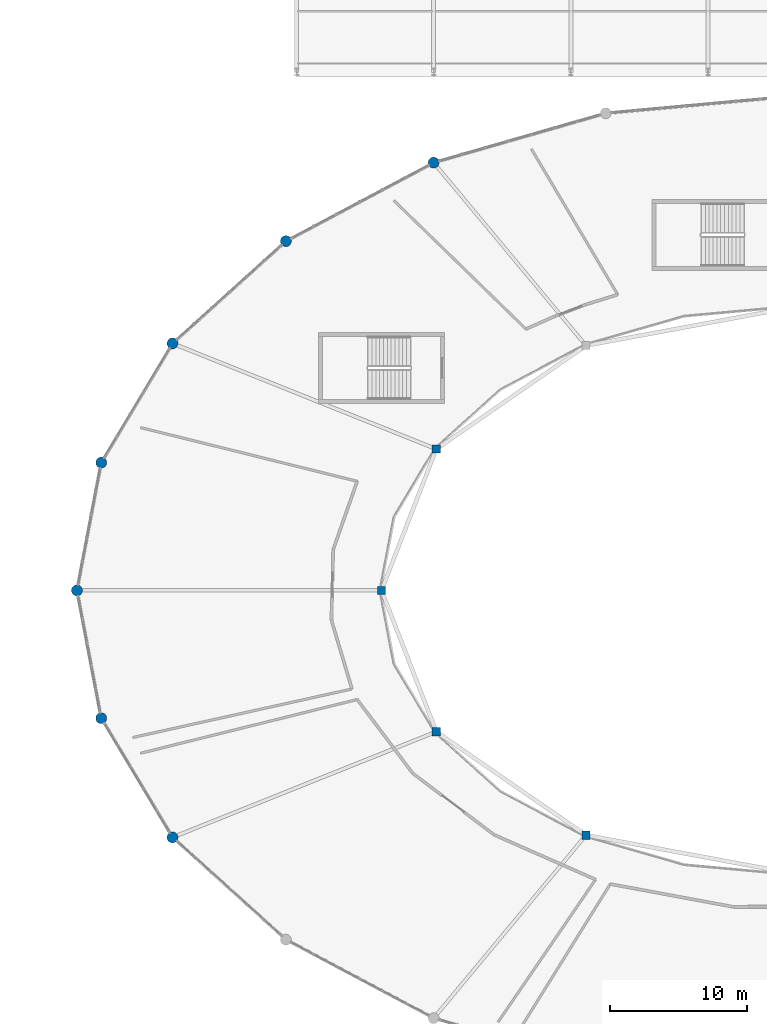
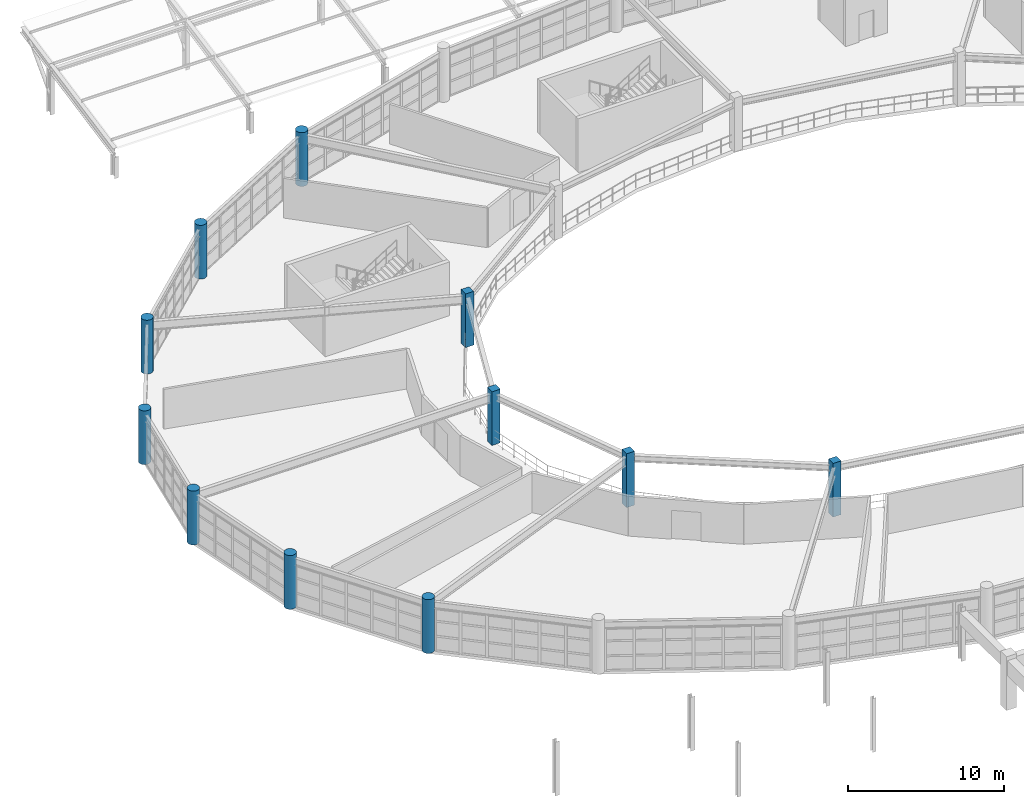
# One storey, part 10 of 100: 11 columns.
"""IFC4 building model written with IfcOpenShell, lengths in metres."""

from ifc_helpers import new_model, si_unit, direction, frame, origin, origin_2d, place, context, subcontext, project, spatial, rectangle, circle, extrude, material, material_profile, profile_set, type_object, element, save


model = new_model("IFC4")

# Units and contexts
model_context = context("Model", 3, precision=1e-05, world=origin(), true_north=direction((0.0, 1.0)))
body_context = subcontext(model_context, "Body", "Model", "MODEL_VIEW")
ifc_project = project(units=[si_unit("LENGTHUNIT", "METRE"), si_unit("AREAUNIT", "SQUARE_METRE"), si_unit("VOLUMEUNIT", "CUBIC_METRE"), si_unit("PLANEANGLEUNIT", "RADIAN"), si_unit("MASSUNIT", "GRAM", prefix="KILO")], contexts=[model_context])

# Site, building, storey
site_placement = place(None, origin())
site = spatial("IfcSite", under=ifc_project, at=site_placement, CompositionType="ELEMENT")
building_placement = place(site_placement, origin())
building = spatial("IfcBuilding", under=site, at=building_placement, Name="Kivolera Central Railway Station", CompositionType="ELEMENT")
storey_placement = place(building_placement, frame((0.0, 0.0, 5.39990234375)))
storey = spatial("IfcBuildingStorey", under=building, at=storey_placement, Name="L01", CompositionType="ELEMENT", Elevation=5.39990234375)

# Columns
ifc_material = material(Name="Concrete C40/50", Category="concrete")
ifc_material_profile_1 = material_profile(ifc_material, rectangle(XDim=0.60009765625, YDim=0.60009765625, at=origin_2d()), Name="RC 600x600")
ifc_profile_set_1 = profile_set([ifc_material_profile_1], Name="Concrete C40/50")
column_type_1 = type_object("IfcColumnType", Name="COL-RC-600", PredefinedType="COLUMN", material=ifc_profile_set_1)
for number, where, z_axis, x_axis, name in (
    (1, (38.19189453125, 100.300048828125, 0.0), (0.0, 0.0, 1.0), (1.0, 0.0, 0.0), "L01 Oval Gallery Column I06"),
    (2, (34.199951171875, 90.0, 0.0), (0.0, 0.0, 1.0), (1.0, 0.0, 0.0), "L01 Oval Gallery Column I07"),
    (3, (38.19189453125, 79.699951171875, 0.0), (0.0, 0.0, 1.0), (1.0, 0.0, 0.0), "L01 Oval Gallery Column I08"),
    (4, (49.10009765625, 72.159912109375, 0.0), (0.0, 0.0, 1.0), (1.0, 0.0, 0.0), "L01 Oval Gallery Column I09"),
):
    element("IfcColumn", number, at=place(storey_placement, frame(where, z_axis=z_axis, x_axis=x_axis)), inside=storey, type_object=column_type_1, Name=name, PredefinedType="COLUMN", context=body_context, shape_type="SweptSolid", body=[
        extrude(rectangle(XDim=0.60009765625, YDim=0.60009765625, at=origin_2d()), origin(), (0.0, 0.0, 1.0), 4.2001953125),
    ])
ifc_material_profile_2 = material_profile(ifc_material, circle(Radius=0.39990234375, at=origin_2d()), Name="RC D800")
ifc_profile_set_2 = profile_set([ifc_material_profile_2], Name="Concrete C40/50")
column_type_2 = type_object("IfcColumnType", Name="COL-RC-D800", PredefinedType="COLUMN", material=ifc_profile_set_2)
for number, where, z_axis, x_axis, name in (
    (5, (38.0, 121.177001953125, 0.0), (0.0, 0.0, 1.0), (1.0, 0.0, 0.0), "L01 Oval Drum Perimeter Column P09"),
    (6, (27.22998046875, 115.4560546875, 0.0), (0.0, 0.0, 1.0), (1.0, 0.0, 0.0), "L01 Oval Drum Perimeter Column P10"),
    (7, (18.967041015625, 108.0, 0.0), (0.0, 0.0, 1.0), (1.0, 0.0, 0.0), "L01 Oval Drum Perimeter Column P11"),
    (8, (13.77197265625, 99.31689453125, 0.0), (0.0, 0.0, 1.0), (1.0, 0.0, 0.0), "L01 Oval Drum Perimeter Column P12"),
    (9, (12.0, 90.0, 0.0), (0.0, 0.0, 1.0), (1.0, 0.0, 0.0), "L01 Oval Drum Perimeter Column P13"),
    (10, (13.77197265625, 80.68310546875, 0.0), (0.0, 0.0, 1.0), (1.0, 0.0, 0.0), "L01 Oval Drum Perimeter Column P14"),
    (11, (18.967041015625, 72.0, 0.0), (0.0, 0.0, 1.0), (1.0, 0.0, 0.0), "L01 Oval Drum Perimeter Column P15"),
):
    element("IfcColumn", number, at=place(storey_placement, frame(where, z_axis=z_axis, x_axis=x_axis)), inside=storey, type_object=column_type_2, Name=name, PredefinedType="COLUMN", context=body_context, shape_type="SweptSolid", body=[
        extrude(circle(Radius=0.39990234375, at=origin_2d()), origin(), (0.0, 0.0, 1.0), 4.2001953125),
    ])

save(model, "model.ifc")
